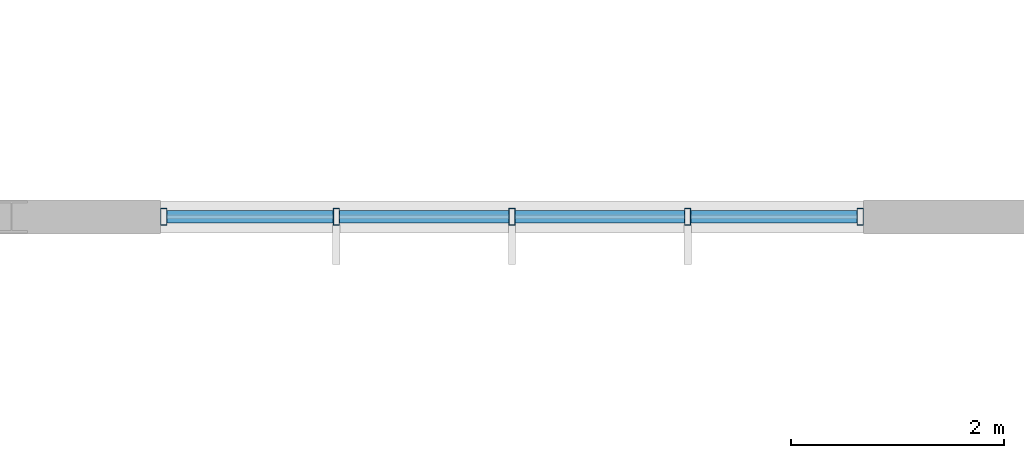
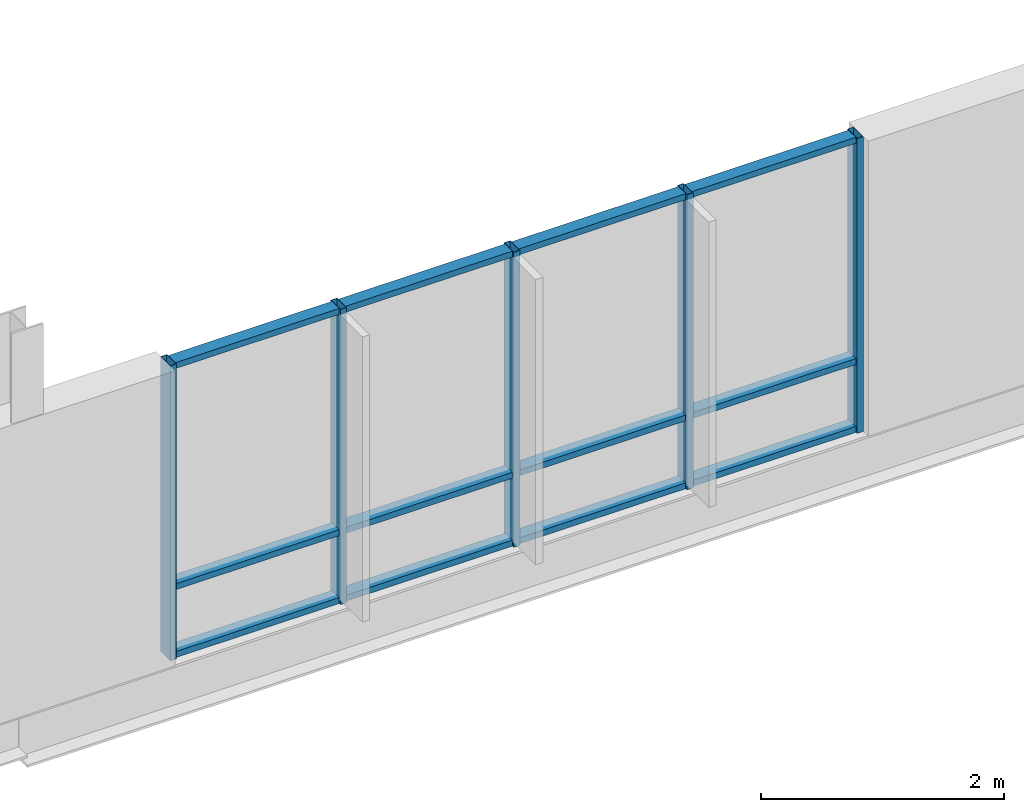
# One storey, part 110 of 189: 17 members, 1 element without a shape of its own.
"""IFC4 building model written with IfcOpenShell, lengths in metres."""

from ifc_helpers import new_model, si_unit, direction, frame, origin, origin_2d, place, context, subcontext, project, spatial, hollow_rectangle, extrude, material, material_profile, profile_set, type_object, element, aggregate, save


model = new_model("IFC4")

# Units and contexts
model_context = context("Model", 3, precision=1e-05, world=origin(), true_north=direction((0.0, 1.0)))
body_context = subcontext(model_context, "Body", "Model", "MODEL_VIEW")
ifc_project = project(units=[si_unit("LENGTHUNIT", "METRE"), si_unit("AREAUNIT", "SQUARE_METRE"), si_unit("VOLUMEUNIT", "CUBIC_METRE"), si_unit("PLANEANGLEUNIT", "RADIAN"), si_unit("MASSUNIT", "GRAM", prefix="KILO")], contexts=[model_context])

# Site, building, storey
site_placement = place(None, origin())
site = spatial("IfcSite", under=ifc_project, at=site_placement, CompositionType="ELEMENT")
building_placement = place(site_placement, origin())
building = spatial("IfcBuilding", under=site, at=building_placement, Name="Zavelmont Quarter", CompositionType="ELEMENT")
storey_placement = place(building_placement, frame((0.0, 0.0, 4.39990234375)))
storey = spatial("IfcBuildingStorey", under=building, at=storey_placement, Name="L01", CompositionType="ELEMENT", Elevation=4.39990234375)

# Curtain wall, members
ifc_material_1 = material(Name="Thermally broken aluminium and double low-E safety glazing", Category="aluminium")
curtain_wall_type = type_object("IfcCurtainWallType", Name="CW-660X297", PredefinedType="NOTDEFINED", material=ifc_material_1)
curtain_wall_placement = place(storey_placement, origin())
curtain_wall = element("IfcCurtainWall", 1, at=curtain_wall_placement, inside=storey, type_object=curtain_wall_type, Name="L01 unitised curtain wall CW-660X297", PredefinedType="NOTDEFINED")
ifc_material_2 = material(Name="Powder-coated aluminium EN AW-6063-T6", Category="aluminium")
ifc_material_profile_1 = material_profile(ifc_material_2, hollow_rectangle(XDim=0.06005859375, YDim=0.159912109375, WallThickness=0.00390625, at=origin_2d()), Name="CWM60X160")
ifc_profile_set_1 = profile_set([ifc_material_profile_1], Name="Powder-coated aluminium EN AW-6063-T6")
member_type_1 = type_object("IfcMemberType", Name="CWM01", PredefinedType="MULLION", material=ifc_profile_set_1)
member_1_placement = place(storey_placement, frame((148.72998046875, 38.0, -0.27978515625), z_axis=(0.0, 0.0, 1.0), x_axis=(1.0, 0.0, 0.0)))
member_1 = element("IfcMember", 2, at=member_1_placement, type_object=member_type_1, Name="CW-660X297 mullion 1", PredefinedType="MULLION", context=body_context, shape_type="SweptSolid", body=[
    extrude(hollow_rectangle(XDim=0.06005859375, YDim=0.159912109375, WallThickness=0.00390625, at=origin_2d()), origin(), (0.0, 0.0, 1.0), 2.969970703125),
])
member_2_placement = place(storey_placement, frame((150.35009765625, 38.0, -0.27978515625), z_axis=(0.0, 0.0, 1.0), x_axis=(1.0, 0.0, 0.0)))
member_2 = element("IfcMember", 3, at=member_2_placement, type_object=member_type_1, Name="CW-660X297 mullion 2", PredefinedType="MULLION", context=body_context, shape_type="SweptSolid", body=[
    extrude(hollow_rectangle(XDim=0.06005859375, YDim=0.159912109375, WallThickness=0.00390625, at=origin_2d()), origin(), (0.0, 0.0, 1.0), 2.969970703125),
])
member_3_placement = place(storey_placement, frame((152.0, 38.0, -0.27978515625), z_axis=(0.0, 0.0, 1.0), x_axis=(1.0, 0.0, 0.0)))
member_3 = element("IfcMember", 4, at=member_3_placement, type_object=member_type_1, Name="CW-660X297 mullion 3", PredefinedType="MULLION", context=body_context, shape_type="SweptSolid", body=[
    extrude(hollow_rectangle(XDim=0.06005859375, YDim=0.159912109375, WallThickness=0.00390625, at=origin_2d()), origin(), (0.0, 0.0, 1.0), 2.969970703125),
])
member_4_placement = place(storey_placement, frame((153.64990234375, 38.0, -0.27978515625), z_axis=(0.0, 0.0, 1.0), x_axis=(1.0, 0.0, 0.0)))
member_4 = element("IfcMember", 5, at=member_4_placement, type_object=member_type_1, Name="CW-660X297 mullion 4", PredefinedType="MULLION", context=body_context, shape_type="SweptSolid", body=[
    extrude(hollow_rectangle(XDim=0.06005859375, YDim=0.159912109375, WallThickness=0.00390625, at=origin_2d()), origin(), (0.0, 0.0, 1.0), 2.969970703125),
])
member_5_placement = place(storey_placement, frame((155.27001953125, 38.0, -0.27978515625), z_axis=(0.0, 0.0, 1.0), x_axis=(1.0, 0.0, 0.0)))
member_5 = element("IfcMember", 6, at=member_5_placement, type_object=member_type_1, Name="CW-660X297 mullion 5", PredefinedType="MULLION", context=body_context, shape_type="SweptSolid", body=[
    extrude(hollow_rectangle(XDim=0.06005859375, YDim=0.159912109375, WallThickness=0.00390625, at=origin_2d()), origin(), (0.0, 0.0, 1.0), 2.969970703125),
])
ifc_material_profile_2 = material_profile(ifc_material_2, hollow_rectangle(XDim=0.1201171875, YDim=0.06005859375, WallThickness=0.00390625, at=origin_2d()), Name="CWT60X120")
ifc_profile_set_2 = profile_set([ifc_material_profile_2], Name="Powder-coated aluminium EN AW-6063-T6")
member_type_2 = type_object("IfcMemberType", Name="CWT01", PredefinedType="NOTDEFINED", material=ifc_profile_set_2)
member_6_placement = place(storey_placement, frame((148.760009765625, 38.0, -0.25), z_axis=(1.0, 0.0, 0.0), x_axis=(0.0, 1.0, 0.0)))
member_6 = element("IfcMember", 7, at=member_6_placement, type_object=member_type_2, Name="CW-660X297 transom 1.1", ObjectType="TRANSOM", PredefinedType="USERDEFINED", context=body_context, shape_type="SweptSolid", body=[
    extrude(hollow_rectangle(XDim=0.1201171875, YDim=0.06005859375, WallThickness=0.00390625, at=origin_2d()), origin(), (0.0, 0.0, 1.0), 1.56005859375),
])
member_7_placement = place(storey_placement, frame((148.760009765625, 38.0, 0.43310546875), z_axis=(1.0, 0.0, 0.0), x_axis=(0.0, 1.0, 0.0)))
member_7 = element("IfcMember", 8, at=member_7_placement, type_object=member_type_2, Name="CW-660X297 transom 1.2", ObjectType="TRANSOM", PredefinedType="USERDEFINED", context=body_context, shape_type="SweptSolid", body=[
    extrude(hollow_rectangle(XDim=0.1201171875, YDim=0.06005859375, WallThickness=0.00390625, at=origin_2d()), origin(), (0.0, 0.0, 1.0), 1.56005859375),
])
member_8_placement = place(storey_placement, frame((148.760009765625, 38.0, 2.66015625), z_axis=(1.0, 0.0, 0.0), x_axis=(0.0, 1.0, 0.0)))
member_8 = element("IfcMember", 9, at=member_8_placement, type_object=member_type_2, Name="CW-660X297 transom 1.3", ObjectType="TRANSOM", PredefinedType="USERDEFINED", context=body_context, shape_type="SweptSolid", body=[
    extrude(hollow_rectangle(XDim=0.1201171875, YDim=0.06005859375, WallThickness=0.00390625, at=origin_2d()), origin(), (0.0, 0.0, 1.0), 1.56005859375),
])
member_9_placement = place(storey_placement, frame((150.3798828125, 38.0, -0.25), z_axis=(1.0, 0.0, 0.0), x_axis=(0.0, 1.0, 0.0)))
member_9 = element("IfcMember", 10, at=member_9_placement, type_object=member_type_2, Name="CW-660X297 transom 2.1", ObjectType="TRANSOM", PredefinedType="USERDEFINED", context=body_context, shape_type="SweptSolid", body=[
    extrude(hollow_rectangle(XDim=0.1201171875, YDim=0.06005859375, WallThickness=0.00390625, at=origin_2d()), origin(), (0.0, 0.0, 1.0), 1.590087890625),
])
member_10_placement = place(storey_placement, frame((150.3798828125, 38.0, 0.43310546875), z_axis=(1.0, 0.0, 0.0), x_axis=(0.0, 1.0, 0.0)))
member_10 = element("IfcMember", 11, at=member_10_placement, type_object=member_type_2, Name="CW-660X297 transom 2.2", ObjectType="TRANSOM", PredefinedType="USERDEFINED", context=body_context, shape_type="SweptSolid", body=[
    extrude(hollow_rectangle(XDim=0.1201171875, YDim=0.06005859375, WallThickness=0.00390625, at=origin_2d()), origin(), (0.0, 0.0, 1.0), 1.590087890625),
])
member_11_placement = place(storey_placement, frame((150.3798828125, 38.0, 2.66015625), z_axis=(1.0, 0.0, 0.0), x_axis=(0.0, 1.0, 0.0)))
member_11 = element("IfcMember", 12, at=member_11_placement, type_object=member_type_2, Name="CW-660X297 transom 2.3", ObjectType="TRANSOM", PredefinedType="USERDEFINED", context=body_context, shape_type="SweptSolid", body=[
    extrude(hollow_rectangle(XDim=0.1201171875, YDim=0.06005859375, WallThickness=0.00390625, at=origin_2d()), origin(), (0.0, 0.0, 1.0), 1.590087890625),
])
member_12_placement = place(storey_placement, frame((152.030029296875, 38.0, -0.25), z_axis=(1.0, 0.0, 0.0), x_axis=(0.0, 1.0, 0.0)))
member_12 = element("IfcMember", 13, at=member_12_placement, type_object=member_type_2, Name="CW-660X297 transom 3.1", ObjectType="TRANSOM", PredefinedType="USERDEFINED", context=body_context, shape_type="SweptSolid", body=[
    extrude(hollow_rectangle(XDim=0.1201171875, YDim=0.06005859375, WallThickness=0.00390625, at=origin_2d()), origin(), (0.0, 0.0, 1.0), 1.590087890625),
])
member_13_placement = place(storey_placement, frame((152.030029296875, 38.0, 0.43310546875), z_axis=(1.0, 0.0, 0.0), x_axis=(0.0, 1.0, 0.0)))
member_13 = element("IfcMember", 14, at=member_13_placement, type_object=member_type_2, Name="CW-660X297 transom 3.2", ObjectType="TRANSOM", PredefinedType="USERDEFINED", context=body_context, shape_type="SweptSolid", body=[
    extrude(hollow_rectangle(XDim=0.1201171875, YDim=0.06005859375, WallThickness=0.00390625, at=origin_2d()), origin(), (0.0, 0.0, 1.0), 1.590087890625),
])
member_14_placement = place(storey_placement, frame((152.030029296875, 38.0, 2.66015625), z_axis=(1.0, 0.0, 0.0), x_axis=(0.0, 1.0, 0.0)))
member_14 = element("IfcMember", 15, at=member_14_placement, type_object=member_type_2, Name="CW-660X297 transom 3.3", ObjectType="TRANSOM", PredefinedType="USERDEFINED", context=body_context, shape_type="SweptSolid", body=[
    extrude(hollow_rectangle(XDim=0.1201171875, YDim=0.06005859375, WallThickness=0.00390625, at=origin_2d()), origin(), (0.0, 0.0, 1.0), 1.590087890625),
])
member_15_placement = place(storey_placement, frame((153.679931640625, 38.0, -0.25), z_axis=(1.0, 0.0, 0.0), x_axis=(0.0, 1.0, 0.0)))
member_15 = element("IfcMember", 16, at=member_15_placement, type_object=member_type_2, Name="CW-660X297 transom 4.1", ObjectType="TRANSOM", PredefinedType="USERDEFINED", context=body_context, shape_type="SweptSolid", body=[
    extrude(hollow_rectangle(XDim=0.1201171875, YDim=0.06005859375, WallThickness=0.00390625, at=origin_2d()), origin(), (0.0, 0.0, 1.0), 1.56005859375),
])
member_16_placement = place(storey_placement, frame((153.679931640625, 38.0, 0.43310546875), z_axis=(1.0, 0.0, 0.0), x_axis=(0.0, 1.0, 0.0)))
member_16 = element("IfcMember", 17, at=member_16_placement, type_object=member_type_2, Name="CW-660X297 transom 4.2", ObjectType="TRANSOM", PredefinedType="USERDEFINED", context=body_context, shape_type="SweptSolid", body=[
    extrude(hollow_rectangle(XDim=0.1201171875, YDim=0.06005859375, WallThickness=0.00390625, at=origin_2d()), origin(), (0.0, 0.0, 1.0), 1.56005859375),
])
member_17_placement = place(storey_placement, frame((153.679931640625, 38.0, 2.66015625), z_axis=(1.0, 0.0, 0.0), x_axis=(0.0, 1.0, 0.0)))
member_17 = element("IfcMember", 18, at=member_17_placement, type_object=member_type_2, Name="CW-660X297 transom 4.3", ObjectType="TRANSOM", PredefinedType="USERDEFINED", context=body_context, shape_type="SweptSolid", body=[
    extrude(hollow_rectangle(XDim=0.1201171875, YDim=0.06005859375, WallThickness=0.00390625, at=origin_2d()), origin(), (0.0, 0.0, 1.0), 1.56005859375),
])
aggregate(curtain_wall, [member_1, member_2, member_3, member_4, member_5, member_6, member_7, member_8, member_9, member_10, member_11, member_12, member_13, member_14, member_15, member_16, member_17])

save(model, "model.ifc")
